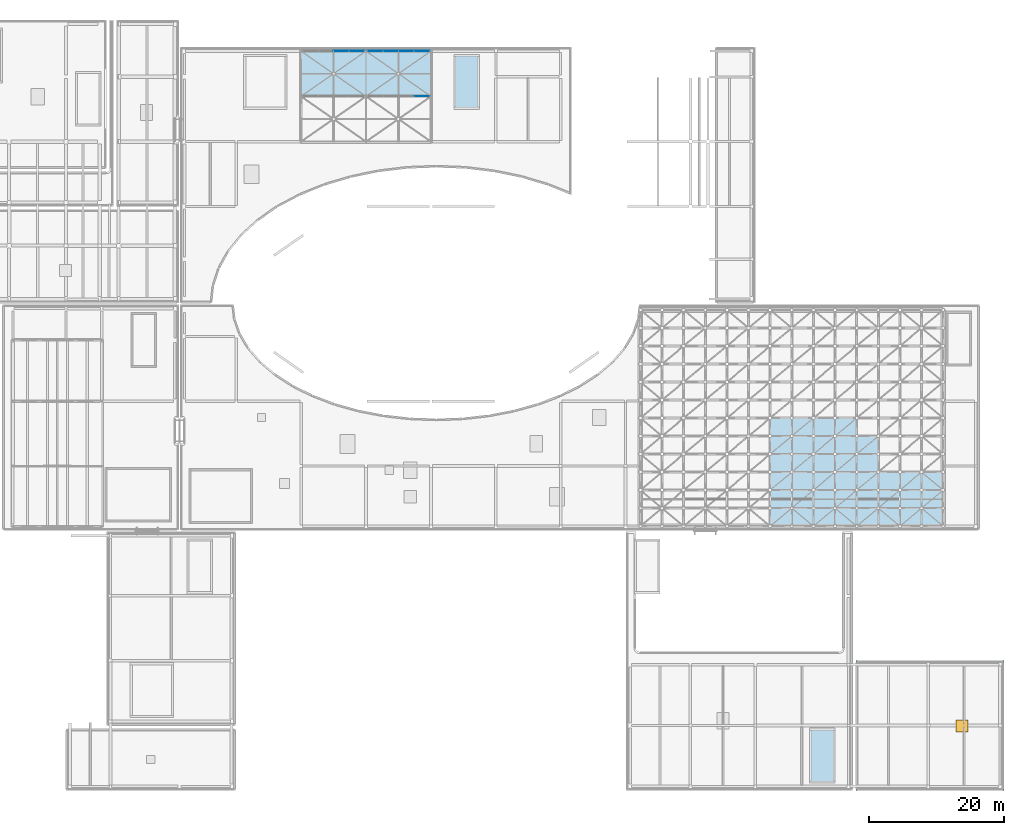
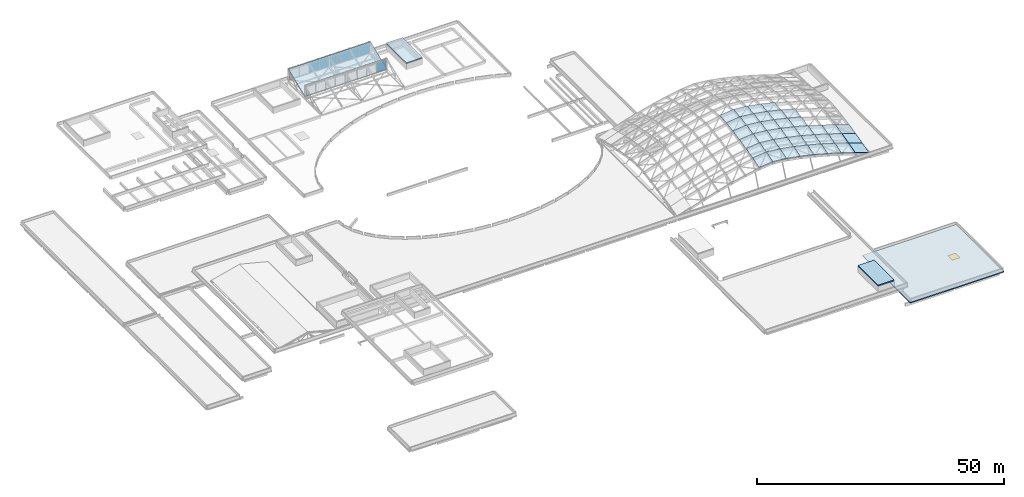
"""IFC4 building model written with IfcOpenShell, lengths in metres."""

from ifc_helpers import new_model, si_unit, direction, frame, origin, origin_2d, place, context, subcontext, project, spatial, polyline, rectangle, outline, extrude, material, layer, layer_set, type_object, element, fill, aggregate, save


model = new_model("IFC4")

# Units and contexts
model_context = context("Model", 3, precision=1e-05, world=origin(), true_north=direction((0.0, 1.0)))
body_context = subcontext(model_context, "Body", "Model", "MODEL_VIEW")
ifc_project = project(units=[si_unit("LENGTHUNIT", "METRE"), si_unit("AREAUNIT", "SQUARE_METRE"), si_unit("VOLUMEUNIT", "CUBIC_METRE"), si_unit("PLANEANGLEUNIT", "RADIAN"), si_unit("MASSUNIT", "GRAM", prefix="KILO")], contexts=[model_context])

# Site, building, storey
site_placement = place(None, origin())
site = spatial("IfcSite", under=ifc_project, at=site_placement, CompositionType="ELEMENT")
building_placement = place(site_placement, origin())
building = spatial("IfcBuilding", under=site, at=building_placement, Name="Mzevani Central Library", CompositionType="ELEMENT")
storey_1_placement = place(building_placement, frame((0.0, 0.0, 26.699951171875)))
storey_1 = spatial("IfcBuildingStorey", under=building, at=storey_1_placement, Name="RF", CompositionType="ELEMENT", Elevation=26.699951171875)

# Curtain wall, plate
ifc_material_1 = material(Name="Thermally broken aluminium and Low-E triple glazing", Category="aluminium")
curtain_wall_type = type_object("IfcCurtainWallType", Name="Sawtooth Clerestory Curtain Wall", PredefinedType="NOTDEFINED", material=ifc_material_1)
curtain_wall_1_placement = place(storey_1_placement, origin())
curtain_wall_1 = element("IfcCurtainWall", 1, at=curtain_wall_1_placement, inside=storey_1, type_object=curtain_wall_type, Name="RF Sawtooth Northlight Clerestory 1.2", PredefinedType="NOTDEFINED")
ifc_material_2 = material(Name="Low-E triple glazing glass", Category="glass")
ifc_layer_1 = layer(ifc_material_2, 0.028076171875, Name="CW Triple Glazed Vision Panel 28")
ifc_layer_set_1 = layer_set([ifc_layer_1], Name="Low-E triple glazing glass")
plate_type = type_object("IfcPlateType", Name="CW Triple Glazed Vision Panel 28", PredefinedType="CURTAIN_PANEL", material=ifc_layer_set_1)
plate_1_placement = place(storey_1_placement, frame((81.85009765625, 106.699951171875, -3.949951171875), z_axis=(0.0, 0.0, 1.0), x_axis=(1.0, 0.0, 0.0)))
plate_1 = element("IfcPlate", 2, at=plate_1_placement, type_object=plate_type, Name="RF Sawtooth Northlight Clerestory 1.2 Vision Panel 4", PredefinedType="CURTAIN_PANEL", context=body_context, shape_type="SweptSolid", body=[
    extrude(rectangle(XDim=2.300048828125, YDim=0.028076171875, at=origin_2d()), origin(), (0.0, 0.0, 1.0), 2.5),
])
aggregate(curtain_wall_1, [plate_1])

# Curtain wall, plates
curtain_wall_2_placement = place(storey_1_placement, origin())
curtain_wall_2 = element("IfcCurtainWall", 3, at=curtain_wall_2_placement, inside=storey_1, type_object=curtain_wall_type, Name="RF Sawtooth Northlight Clerestory 2.1", PredefinedType="NOTDEFINED")
plate_2_placement = place(storey_1_placement, frame((69.949951171875, 113.39990234375, -3.949951171875), z_axis=(0.0, 0.0, 1.0), x_axis=(1.0, 0.0, 0.0)))
plate_2 = element("IfcPlate", 4, at=plate_2_placement, type_object=plate_type, Name="RF Sawtooth Northlight Clerestory 2.1 Vision Panel 3", PredefinedType="CURTAIN_PANEL", context=body_context, shape_type="SweptSolid", body=[
    extrude(rectangle(XDim=2.300048828125, YDim=0.028076171875, at=origin_2d()), origin(), (0.0, 0.0, 1.0), 2.5),
])
plate_3_placement = place(storey_1_placement, frame((72.25, 113.39990234375, -3.949951171875), z_axis=(0.0, 0.0, 1.0), x_axis=(1.0, 0.0, 0.0)))
plate_3 = element("IfcPlate", 5, at=plate_3_placement, type_object=plate_type, Name="RF Sawtooth Northlight Clerestory 2.1 Vision Panel 4", PredefinedType="CURTAIN_PANEL", context=body_context, shape_type="SweptSolid", body=[
    extrude(rectangle(XDim=2.300048828125, YDim=0.028076171875, at=origin_2d()), origin(), (0.0, 0.0, 1.0), 2.5),
])
aggregate(curtain_wall_2, [plate_2, plate_3])

curtain_wall_3_placement = place(storey_1_placement, origin())
curtain_wall_3 = element("IfcCurtainWall", 6, at=curtain_wall_3_placement, inside=storey_1, type_object=curtain_wall_type, Name="RF Sawtooth Northlight Clerestory 2.2", PredefinedType="NOTDEFINED")
plate_4_placement = place(storey_1_placement, frame((74.949951171875, 113.39990234375, -3.949951171875), z_axis=(0.0, 0.0, 1.0), x_axis=(1.0, 0.0, 0.0)))
plate_4 = element("IfcPlate", 7, at=plate_4_placement, type_object=plate_type, Name="RF Sawtooth Northlight Clerestory 2.2 Vision Panel 1", PredefinedType="CURTAIN_PANEL", context=body_context, shape_type="SweptSolid", body=[
    extrude(rectangle(XDim=2.300048828125, YDim=0.028076171875, at=origin_2d()), origin(), (0.0, 0.0, 1.0), 2.5),
])
plate_5_placement = place(storey_1_placement, frame((77.25, 113.39990234375, -3.949951171875), z_axis=(0.0, 0.0, 1.0), x_axis=(1.0, 0.0, 0.0)))
plate_5 = element("IfcPlate", 8, at=plate_5_placement, type_object=plate_type, Name="RF Sawtooth Northlight Clerestory 2.2 Vision Panel 2", PredefinedType="CURTAIN_PANEL", context=body_context, shape_type="SweptSolid", body=[
    extrude(rectangle(XDim=2.300048828125, YDim=0.028076171875, at=origin_2d()), origin(), (0.0, 0.0, 1.0), 2.5),
])
plate_6_placement = place(storey_1_placement, frame((79.550048828125, 113.39990234375, -3.949951171875), z_axis=(0.0, 0.0, 1.0), x_axis=(1.0, 0.0, 0.0)))
plate_6 = element("IfcPlate", 9, at=plate_6_placement, type_object=plate_type, Name="RF Sawtooth Northlight Clerestory 2.2 Vision Panel 3", PredefinedType="CURTAIN_PANEL", context=body_context, shape_type="SweptSolid", body=[
    extrude(rectangle(XDim=2.300048828125, YDim=0.028076171875, at=origin_2d()), origin(), (0.0, 0.0, 1.0), 2.5),
])
plate_7_placement = place(storey_1_placement, frame((81.85009765625, 113.39990234375, -3.949951171875), z_axis=(0.0, 0.0, 1.0), x_axis=(1.0, 0.0, 0.0)))
plate_7 = element("IfcPlate", 10, at=plate_7_placement, type_object=plate_type, Name="RF Sawtooth Northlight Clerestory 2.2 Vision Panel 4", PredefinedType="CURTAIN_PANEL", context=body_context, shape_type="SweptSolid", body=[
    extrude(rectangle(XDim=2.300048828125, YDim=0.028076171875, at=origin_2d()), origin(), (0.0, 0.0, 1.0), 2.5),
])
aggregate(curtain_wall_3, [plate_4, plate_5, plate_6, plate_7])

# Slab, opening
ifc_material_3 = material(Name="Precast concrete C40/50", Category="concrete")
ifc_layer_2 = layer(ifc_material_3, 0.260009765625, Name="Flat Thermal Roof Slab 260")
ifc_layer_set_2 = layer_set([ifc_layer_2], Name="Precast concrete C40/50")
slab_type_1 = type_object("IfcSlabType", Name="Flat Thermal Roof Slab 260", PredefinedType="ROOF", material=ifc_layer_set_2)
slab_1_placement = place(storey_1_placement, frame((0.0, 0.0, -21.56005859375)))
slab_1 = element("IfcSlab", 11, at=slab_1_placement, inside=storey_1, type_object=slab_type_1, Name="RF V6 Insulated Concrete Roof (L00 Top 1)", PredefinedType="ROOF", context=body_context, shape_type="SweptSolid", body=[
    extrude(outline(polyline([(168.0, 4.0), (146.080078125, 4.0), (146.080078125, 23.199951171875), (168.0, 23.199951171875), (168.0, 4.0)])), origin(), (0.0, 0.0, 1.0), 0.260009765625),
])
opening_placement = place(slab_1_placement, frame((161.79833984375, 13.531494140625, 0.0)))
opening = element("IfcOpeningElement", 12, at=opening_placement, cuts=slab_1, Name="Opening SK-02", PredefinedType="OPENING", context=body_context, shape_type="SweptSolid", body=[
    extrude(rectangle(XDim=1.800048828125, YDim=1.800048828125, at=origin_2d()), origin(), (0.0, 0.0, 1.0), 0.260009765625),
])

# Storey
storey_2_placement = place(building_placement, origin())
storey_2 = spatial("IfcBuildingStorey", under=building, at=storey_2_placement, Name="L00", CompositionType="ELEMENT", Elevation=0.0)

# Window
window_type = type_object("IfcWindowType", Name="Atrium Skylight 1800x1800", PartitioningType="SINGLE_PANEL", PredefinedType="SKYLIGHT", material=ifc_material_2)
window_placement = place(opening_placement, frame((0.0, 0.0, 0.2099609375)))
window = element("IfcWindow", 13, at=window_placement, inside=storey_2, type_object=window_type, Name="L00 V6 SK-02 Roof Hatch / Skylight (9)", OverallHeight=1.800048828125, OverallWidth=1.800048828125, PartitioningType="SINGLE_PANEL", PredefinedType="SKYLIGHT", context=body_context, shape_type="SweptSolid", body=[
    extrude(rectangle(XDim=1.800048828125, YDim=1.800048828125, at=origin_2d()), origin(), (0.0, 0.0, 1.0), 0.050048828125),
])

fill(opening, window)

# Slabs
slab_2_placement = place(storey_1_placement, frame((0.0, 0.0, -2.699951171875)))
element("IfcSlab", 14, at=slab_2_placement, inside=storey_1, type_object=slab_type_1, Name="RF Core C3B Atrium East Escape Stair Overrun Roof Slab", PredefinedType="ROOF", context=body_context, shape_type="SweptSolid", body=[
    extrude(outline(polyline([(86.60009765625, 104.800048828125), (90.39990234375, 104.800048828125), (90.39990234375, 112.89990234375), (86.60009765625, 112.89990234375), (86.60009765625, 104.800048828125)])), origin(), (0.0, 0.0, 1.0), 0.260009765625),
])
slab_3_placement = place(storey_1_placement, frame((0.0, 0.0, -15.599853515625)))
element("IfcSlab", 15, at=slab_3_placement, inside=storey_1, type_object=slab_type_1, Name="RF Core C6B Children's Pavilion East Stair Overrun Roof Slab", PredefinedType="ROOF", context=body_context, shape_type="SweptSolid", body=[
    extrude(outline(polyline([(139.199951171875, 5.10009765625), (143.0, 5.10009765625), (143.0, 13.199951171875), (139.199951171875, 13.199951171875), (139.199951171875, 5.10009765625)])), origin(), (0.0, 0.0, 1.0), 0.260009765625),
])

# Roof, slabs
ifc_material_4 = material(Name="Glulam GL28h", Category="wood")
roof_type = type_object("IfcRoofType", Name="Translational Gridshell Pavilion Roof", PredefinedType="PAVILION_ROOF", material=ifc_material_4)
roof_placement = place(storey_1_placement, origin())
roof = element("IfcRoof", 16, at=roof_placement, inside=storey_1, type_object=roof_type, Name="RF Volume V1 Main Reading Hall Translational Gridshell Roof", PredefinedType="PAVILION_ROOF")
ifc_layer_3 = layer(ifc_material_4, 0.179931640625, Name="Gridshell Roof Quad Slab 180")
ifc_layer_set_3 = layer_set([ifc_layer_3], Name="Glulam GL28h")
slab_type_2 = type_object("IfcSlabType", Name="Gridshell Roof Quad Slab 180", PredefinedType="ROOF", material=ifc_layer_set_3)
slab_4_placement = place(storey_1_placement, frame((133.39990234375, 43.10009765625, -7.233154296875), z_axis=(-0.099808581428, -0.267212511624, 0.958454861068), x_axis=(0.994621666406, 0.0, 0.103574807342)))
slab_4 = element("IfcSlab", 17, at=slab_4_placement, type_object=slab_type_2, Name="RF Gridshell Roof Panel 7.1", PredefinedType="ROOF", context=body_context, shape_type="SweptSolid", body=[
    extrude(outline(polyline([(0.0, 0.0), (3.2175001013843962, 0.0), (3.2944984627998184, 2.7671230711443595), (0.07699836141542211, 2.7671230711443595), (0.0, 0.0)])), origin(), (0.0, 0.0, -1.0), 0.179931640625),
])
slab_5_placement = place(storey_1_placement, frame((133.39990234375, 45.7666015625, -6.48974609375), z_axis=(-0.100405525432, -0.245482450392, 0.964187272791), x_axis=(0.994621666406, 0.0, 0.103574807342)))
slab_5 = element("IfcSlab", 18, at=slab_5_placement, type_object=slab_type_2, Name="RF Gridshell Roof Panel 7.2", PredefinedType="ROOF", context=body_context, shape_type="SweptSolid", body=[
    extrude(outline(polyline([(0.0, 0.0), (3.2175001013843962, -1.3877787807814457e-17), (3.2878227427953286, 2.7509234576280646), (0.07032264141093231, 2.750923457628064), (0.0, 0.0)])), origin(), (0.0, 0.0, -1.0), 0.179931640625),
])
slab_6_placement = place(storey_1_placement, frame((133.39990234375, 48.433349609375, -5.810791015625), z_axis=(-0.101024827295, -0.220529495482, 0.970134385481), x_axis=(0.994621666406, 0.0, 0.103574807342)))
slab_6 = element("IfcSlab", 19, at=slab_6_placement, type_object=slab_type_2, Name="RF Gridshell Roof Panel 7.3", PredefinedType="ROOF", context=body_context, shape_type="SweptSolid", body=[
    extrude(outline(polyline([(0.0, 0.0), (3.2175001013843962, 1.3877787807814457e-17), (3.280287270972079, 2.734059761166427), (0.06278716958768246, 2.734059761166427), (0.0, 0.0)])), origin(), (0.0, 0.0, -1.0), 0.179931640625),
])
slab_7_placement = place(storey_1_placement, frame((133.39990234375, 51.10009765625, -5.20458984375), z_axis=(-0.101674450028, -0.190679628228, 0.976372667372), x_axis=(0.994621666406, 0.0, 0.103574807342)))
slab_7 = element("IfcSlab", 20, at=slab_7_placement, type_object=slab_type_2, Name="RF Gridshell Roof Panel 7.4", PredefinedType="ROOF", context=body_context, shape_type="SweptSolid", body=[
    extrude(outline(polyline([(0.0, 0.0), (3.2175001013843962, 0.0), (3.27143688460249, 2.716342486165192), (0.05393678321809371, 2.716342486165192), (0.0, 0.0)])), origin(), (0.0, 0.0, -1.0), 0.179931640625),
])
slab_8_placement = place(storey_1_placement, frame((133.39990234375, 53.7666015625, -4.683837890625), z_axis=(-0.102369775558, -0.152096879317, 0.983049830046), x_axis=(0.994621666406, 0.0, 0.103574807342)))
slab_8 = element("IfcSlab", 21, at=slab_8_placement, type_object=slab_type_2, Name="RF Gridshell Roof Panel 7.5", PredefinedType="ROOF", context=body_context, shape_type="SweptSolid", body=[
    extrude(outline(polyline([(0.0, 0.0), (3.2175001013843962, 0.0), (3.2602348241404107, 2.6981393060636414), (0.04273472275601424, 2.6981393060636414), (0.0, 0.0)])), origin(), (0.0, 0.0, -1.0), 0.179931640625),
])
slab_9_placement = place(storey_1_placement, frame((133.39990234375, 56.433349609375, -4.271240234375), z_axis=(-0.103169011865, -0.088433280204, 0.990724840681), x_axis=(0.994621666406, 0.0, 0.103574807342)))
slab_9 = element("IfcSlab", 22, at=slab_9_placement, type_object=slab_type_2, Name="RF Gridshell Roof Panel 7.6", PredefinedType="ROOF", context=body_context, shape_type="SweptSolid", body=[
    extrude(outline(polyline([(0.0, 0.0), (3.2175001013843962, -6.938893903907228e-18), (3.2421547491282507, 2.677237187717192), (0.02465464774385437, 2.677237187717192), (0.0, 0.0)])), origin(), (0.0, 0.0, -1.0), 0.179931640625),
])
slab_10_placement = place(storey_1_placement, frame((136.60009765625, 43.10009765625, -6.89990234375), z_axis=(0.099816120468, -0.267212308526, 0.958454132584), x_axis=(0.994620852304, 0.0, -0.103582624811)))
slab_10 = element("IfcSlab", 23, at=slab_10_placement, type_object=slab_type_2, Name="RF Gridshell Roof Panel 8.1", PredefinedType="ROOF", context=body_context, shape_type="SweptSolid", body=[
    extrude(outline(polyline([(0.0, 0.0), (3.2172572739284955, 0.0), (3.140253100942963, 2.7671229094246725), (-0.07700417298553264, 2.7671229094246725), (0.0, 0.0)])), origin(), (0.0, 0.0, -1.0), 0.179931640625),
])
slab_11_placement = place(storey_1_placement, frame((136.60009765625, 45.7666015625, -6.156494140625), z_axis=(0.100413108647, -0.245482261572, 0.964186531157), x_axis=(0.994620852304, 0.0, -0.103582624811)))
slab_11 = element("IfcSlab", 24, at=slab_11_placement, type_object=slab_type_2, Name="RF Gridshell Roof Panel 8.2", PredefinedType="ROOF", context=body_context, shape_type="SweptSolid", body=[
    extrude(outline(polyline([(0.0, 0.0), (3.2172572739284955, 1.3877787807814457e-17), (3.146929324807718, 2.750923321940439), (-0.0703279491207771, 2.7509233219404394), (0.0, 0.0)])), origin(), (0.0, 0.0, -1.0), 0.179931640625),
])
slab_12_placement = place(storey_1_placement, frame((136.60009765625, 48.433349609375, -5.4775390625), z_axis=(0.101032456321, -0.220529323756, 0.970133630039), x_axis=(0.994620852304, 0.0, -0.103582624811)))
slab_12 = element("IfcSlab", 25, at=slab_12_placement, type_object=slab_type_2, Name="RF Gridshell Roof Panel 8.3", PredefinedType="ROOF", context=body_context, shape_type="SweptSolid", body=[
    extrude(outline(polyline([(0.0, 0.0), (3.2172572739284955, 1.3877787807814457e-17), (3.1544653653823285, 2.7340596523330256), (-0.06279190854616667, 2.734059652333025), (0.0, 0.0)])), origin(), (0.0, 0.0, -1.0), 0.179931640625),
])
slab_13_placement = place(storey_1_placement, frame((136.60009765625, 51.10009765625, -4.871337890625), z_axis=(0.10168212709, -0.19067947783, 0.976371897263), x_axis=(0.994620852304, 0.0, -0.103582624811)))
slab_13 = element("IfcSlab", 26, at=slab_13_placement, type_object=slab_type_2, Name="RF Gridshell Roof Panel 8.4", PredefinedType="ROOF", context=body_context, shape_type="SweptSolid", body=[
    extrude(outline(polyline([(0.0, 0.0), (3.2172572739284955, 0.0), (3.1633164197484818, 2.7163424053274916), (-0.0539408541800135, 2.7163424053274916), (0.0, 0.0)])), origin(), (0.0, 0.0, -1.0), 0.179931640625),
])
slab_14_placement = place(storey_1_placement, frame((136.60009765625, 53.7666015625, -4.3505859375), z_axis=(0.102377504013, -0.152096757705, 0.98304904403), x_axis=(0.994620852304, 0.0, -0.103582624811)))
slab_14 = element("IfcSlab", 27, at=slab_14_placement, type_object=slab_type_2, Name="RF Gridshell Roof Panel 8.5", PredefinedType="ROOF", context=body_context, shape_type="SweptSolid", body=[
    extrude(outline(polyline([(0.0, 0.0), (3.2172572739284955, 6.938893903907228e-18), (3.174519325703356, 2.6981392549748295), (-0.04273794822513963, 2.6981392549748295), (0.0, 0.0)])), origin(), (0.0, 0.0, -1.0), 0.179931640625),
])
slab_15_placement = place(storey_1_placement, frame((136.60009765625, 56.433349609375, -3.93798828125), z_axis=(0.103176799366, -0.088433208387, 0.99072403611), x_axis=(0.994620852304, 0.0, -0.103582624811)))
slab_15 = element("IfcSlab", 28, at=slab_15_placement, type_object=slab_type_2, Name="RF Gridshell Roof Panel 8.6", PredefinedType="ROOF", context=body_context, shape_type="SweptSolid", body=[
    extrude(outline(polyline([(0.0, 0.0), (3.2172572739284955, 0.0), (3.1926007653370685, 2.677237170580021), (-0.024656508591426707, 2.677237170580021), (0.0, 0.0)])), origin(), (0.0, 0.0, -1.0), 0.179931640625),
])
slab_16_placement = place(storey_1_placement, frame((139.800048828125, 43.10009765625, -7.233154296875), z_axis=(0.17124215993, -0.264586679606, 0.949036359492), x_axis=(0.984108094626, 0.0, -0.177570431357)))
slab_16 = element("IfcSlab", 29, at=slab_16_placement, type_object=slab_type_2, Name="RF Gridshell Roof Panel 9.1", PredefinedType="ROOF", context=body_context, shape_type="SweptSolid", body=[
    extrude(outline(polyline([(0.0, 0.0), (3.2516256998089466, 2.7755575615628914e-17), (3.1196183845060697, 2.765044829153151), (-0.13200731530287696, 2.7650448291531506), (0.0, 0.0)])), origin(), (0.0, 0.0, -1.0), 0.179931640625),
])
slab_17_placement = place(storey_1_placement, frame((139.800048828125, 45.7666015625, -6.48974609375), z_axis=(0.172208969211, -0.243084282521, 0.954596303426), x_axis=(0.984114266677, -8.711364e-06, -0.177536221791)))
slab_17 = element("IfcSlab", 30, at=slab_17_placement, type_object=slab_type_2, Name="RF Gridshell Roof Panel 9.2", PredefinedType="ROOF", context=body_context, shape_type="SweptSolid", body=[
    extrude(outline(polyline([(0.0, 0.0), (3.2516256977209532, 5.551115123125783e-17), (3.131020003569049, 2.7492382539935734), (-0.12056235034775561, 2.749179850377787), (0.0, 0.0)])), origin(), (0.0, 0.0, -1.0), 0.179931640625),
])
slab_18_placement = place(storey_1_placement, frame((139.800048828125, 48.433349609375, -5.810791015625), z_axis=(0.173216263363, -0.218312839746, 0.960383064255), x_axis=(0.984121212692, 0.0, -0.177497714718)))
slab_18 = element("IfcSlab", 31, at=slab_18_placement, type_object=slab_type_2, Name="RF Gridshell Roof Panel 9.3", PredefinedType="ROOF", context=body_context, shape_type="SweptSolid", body=[
    extrude(outline(polyline([(0.0, 0.0), (3.251582356529337, -1.3877787807814457e-17), (3.143983033862398, 2.7326630586400267), (-0.10759932266693875, 2.732663058640027), (0.0, 0.0)])), origin(), (0.0, 0.0, -1.0), 0.179931640625),
])
slab_19_placement = place(storey_1_placement, frame((139.800048828125, 51.10009765625, -5.20458984375), z_axis=(0.174307610706, -0.188738656976, 0.966433948189), x_axis=(0.984121212692, 0.0, -0.177497714718)))
slab_19 = element("IfcSlab", 32, at=slab_19_placement, type_object=slab_type_2, Name="RF Gridshell Roof Panel 9.4", PredefinedType="ROOF", context=body_context, shape_type="SweptSolid", body=[
    extrude(outline(polyline([(0.0, 0.0), (3.251582356529337, 0.0), (3.159150074914927, 2.7153051305600195), (-0.09243228161441013, 2.7153051305600195), (0.0, 0.0)])), origin(), (0.0, 0.0, -1.0), 0.179931640625),
])
slab_20_placement = place(storey_1_placement, frame((139.800048828125, 53.7666015625, -4.683837890625), z_axis=(0.175512415294, -0.150483223718, 0.97290811049), x_axis=(0.984114802803, 5.49636e-06, -0.177533250051)))
slab_20 = element("IfcSlab", 33, at=slab_20_placement, type_object=slab_type_2, Name="RF Gridshell Roof Panel 9.5", PredefinedType="ROOF", context=body_context, shape_type="SweptSolid", body=[
    extrude(outline(polyline([(0.0, 0.0), (3.2515823543604396, 1.3877787807814457e-17), (3.178390551970211, 2.6974475923209518), (-0.07323514546885432, 2.6974837480174148), (0.0, 0.0)])), origin(), (0.0, 0.0, -1.0), 0.179931640625),
])
slab_21_placement = place(storey_1_placement, frame((139.800048828125, 56.433349609375, -4.271240234375), z_axis=(0.176852352387, -0.087550808719, 0.980335708494), x_axis=(0.984114604006, -3.222141e-06, -0.17753435209)))
slab_21 = element("IfcSlab", 34, at=slab_21_placement, type_object=slab_type_2, Name="RF Gridshell Roof Panel 9.6", PredefinedType="ROOF", context=body_context, shape_type="SweptSolid", body=[
    extrude(outline(polyline([(0.0, 0.0), (3.251625697606835, 6.938893903907228e-18), (3.209313997635733, 2.67703806572448), (-0.042268356623424, 2.6770170307001613), (0.0, 0.0)])), origin(), (0.0, 0.0, -1.0), 0.179931640625),
])
slab_22_placement = place(storey_1_placement, frame((143.0, 43.10009765625, -7.810546875), z_axis=(0.214210756614, -0.262319684052, 0.940904955407), x_axis=(0.975050212006, 0.0, -0.221984423028)))
slab_22 = element("IfcSlab", 35, at=slab_22_placement, type_object=slab_type_2, Name="RF Gridshell Roof Panel 10.1", PredefinedType="ROOF", context=body_context, shape_type="SweptSolid", body=[
    extrude(outline(polyline([(0.0, 0.0), (3.2818321892280427, 2.7755575615628914e-17), (3.1168071481831716, 2.763270810895702), (-0.16502504104487095, 2.763270810895702), (0.0, 0.0)])), origin(), (0.0, 0.0, -1.0), 0.179931640625),
])
slab_23_placement = place(storey_1_placement, frame((143.0, 45.7666015625, -7.067138671875), z_axis=(0.215477211118, -0.240974003352, 0.946309199573), x_axis=(0.97504262809, 8.481974e-06, -0.222017732029)))
slab_23 = element("IfcSlab", 36, at=slab_23_placement, type_object=slab_type_2, Name="RF Gridshell Roof Panel 10.2", PredefinedType="ROOF", context=body_context, shape_type="SweptSolid", body=[
    extrude(outline(polyline([(0.0, 0.0), (3.2818321871950316, -2.7755575615628914e-17), (3.131114739888285, 2.7476916459742506), (-0.15077165085460512, 2.7477490096835284), (0.0, 0.0)])), origin(), (0.0, 0.0, -1.0), 0.179931640625),
])
slab_24_placement = place(storey_1_placement, frame((143.0, 48.433349609375, -6.387939453125), z_axis=(0.216793906423, -0.216391810659, 0.951932238354), x_axis=(0.975034107954, 0.0, -0.222055147039)))
slab_24 = element("IfcSlab", 37, at=slab_24_placement, type_object=slab_type_2, Name="RF Gridshell Roof Panel 10.3", PredefinedType="ROOF", context=body_context, shape_type="SweptSolid", body=[
    extrude(outline(polyline([(0.0, 0.0), (3.2818863932771944, 0.0), (3.1472763029211777, 2.7314657475188295), (-0.13461009035601684, 2.7314657475188295), (0.0, 0.0)])), origin(), (0.0, 0.0, -1.0), 0.179931640625),
])
slab_25_placement = place(storey_1_placement, frame((143.0, 51.10009765625, -5.78173828125), z_axis=(0.218135658963, -0.18705715009, 0.957823813073), x_axis=(0.975034107954, 0.0, -0.222055147039)))
slab_25 = element("IfcSlab", 38, at=slab_25_placement, type_object=slab_type_2, Name="RF Gridshell Roof Panel 10.4", PredefinedType="ROOF", context=body_context, shape_type="SweptSolid", body=[
    extrude(outline(polyline([(0.0, 0.0), (3.2818863932771944, 0.0), (3.1662507417550905, 2.7144159730643844), (-0.11563565152210388, 2.7144159730643844), (0.0, 0.0)])), origin(), (0.0, 0.0, -1.0), 0.179931640625),
])
slab_26_placement = place(storey_1_placement, frame((143.0, 53.7666015625, -5.260986328125), z_axis=(0.219537174216, -0.1491269201, 0.964139300536), x_axis=(0.975041981474, -5.347889e-06, -0.222020571872)))
slab_26 = element("IfcSlab", 39, at=slab_26_placement, type_object=slab_type_2, Name="RF Gridshell Roof Panel 10.5", PredefinedType="ROOF", context=body_context, shape_type="SweptSolid", body=[
    extrude(outline(polyline([(0.0, 0.0), (3.281886391166885, 0.0), (3.190266962101983, 2.696921919118322), (-0.09156522482372265, 2.696886420135508), (0.0, 0.0)])), origin(), (0.0, 0.0, -1.0), 0.179931640625),
])
slab_27_placement = place(storey_1_placement, frame((143.0, 56.433349609375, -4.8486328125), z_axis=(0.221182800061, -0.086749785174, 0.971366379761), x_axis=(0.975042221146, 3.134333e-06, -0.222019519351)))
slab_27 = element("IfcSlab", 40, at=slab_27_placement, type_object=slab_type_2, Name="RF Gridshell Roof Panel 10.6", PredefinedType="ROOF", context=body_context, shape_type="SweptSolid", body=[
    extrude(outline(polyline([(0.0, 0.0), (3.281832187085942, 0.0), (3.228991660951828, 2.6768292204937305), (-0.05289473011833052, 2.676849871225293), (0.0, 0.0)])), origin(), (0.0, 0.0, -1.0), 0.179931640625),
])
slab_28_placement = place(storey_1_placement, frame((146.199951171875, 43.10009765625, -8.5390625), z_axis=(0.247480281465, -0.260159934191, 0.933311480122), x_axis=(0.966596300435, 8.953291e-06, -0.256303710285)))
slab_28 = element("IfcSlab", 41, at=slab_28_placement, type_object=slab_type_2, Name="RF Gridshell Roof Panel 11.1", PredefinedType="ROOF", context=body_context, shape_type="SweptSolid", body=[
    extrude(outline(polyline([(0.0, 0.0), (3.3105061286712716, 8.326672684688674e-17), (3.1200542960861726, 2.761569117788477), (-0.1905144067331179, 2.7616305122820495), (0.0, 0.0)])), origin(), (0.0, 0.0, -1.0), 0.179931640625),
])
slab_29_placement = place(storey_1_placement, frame((146.199951171875, 45.7666015625, -7.795654296875), z_axis=(0.248877787207, -0.239006258863, 0.938581831946), x_axis=(0.966595160309, -8.271588e-06, -0.256308010017)))
slab_29 = element("IfcSlab", 42, at=slab_29_placement, type_object=slab_type_2, Name="RF Gridshell Roof Panel 11.2", PredefinedType="ROOF", context=body_context, shape_type="SweptSolid", body=[
    extrude(outline(polyline([(0.0, 0.0), (3.3105687033663687, 2.7755575615628914e-17), (3.136462444963532, 2.7463691889329507), (-0.17404368320507835, 2.746312787508516), (0.0, 0.0)])), origin(), (0.0, 0.0, -1.0), 0.179931640625),
])
slab_30_placement = place(storey_1_placement, frame((146.199951171875, 48.433349609375, -7.11669921875), z_axis=(0.250300553161, -0.214607594081, 0.944083266269), x_axis=(0.966604816788, 0.0, -0.256271590626)))
slab_30 = element("IfcSlab", 43, at=slab_30_placement, type_object=slab_type_2, Name="RF Gridshell Roof Panel 11.3", PredefinedType="ROOF", context=body_context, shape_type="SweptSolid", body=[
    extrude(outline(polyline([(0.0, 0.0), (3.3105061306316914, 2.7755575615628914e-17), (3.1551539920757765, 2.7303645762682236), (-0.15535213855591481, 2.7303645762682236), (0.0, 0.0)])), origin(), (0.0, 0.0, -1.0), 0.179931640625),
])
slab_31_placement = place(storey_1_placement, frame((146.199951171875, 51.10009765625, -6.510498046875), z_axis=(0.25182400718, -0.185495895423, 0.949829427944), x_axis=(0.966604816788, 0.0, -0.256271590626)))
slab_31 = element("IfcSlab", 44, at=slab_31_placement, type_object=slab_type_2, Name="RF Gridshell Roof Panel 11.4", PredefinedType="ROOF", context=body_context, shape_type="SweptSolid", body=[
    extrude(outline(polyline([(0.0, 0.0), (3.3105061306316914, 2.7755575615628914e-17), (3.177052199282611, 2.7135982987423697), (-0.13345393134908026, 2.71359829874237), (0.0, 0.0)])), origin(), (0.0, 0.0, -1.0), 0.179931640625),
])
slab_32_placement = place(storey_1_placement, frame((146.199951171875, 53.7666015625, -5.98974609375), z_axis=(0.25348867127, -0.147863446217, 0.955970655831), x_axis=(0.96659588189, 5.2122e-06, -0.256305288836)))
slab_32 = element("IfcSlab", 45, at=slab_32_placement, type_object=slab_type_2, Name="RF Gridshell Roof Panel 11.5", PredefinedType="ROOF", context=body_context, shape_type="SweptSolid", body=[
    extrude(outline(polyline([(0.0, 0.0), (3.3105061285749255, 0.0), (3.2048316412732505, 2.696370422711906), (-0.10573706183508265, 2.6964053166375477), (0.0, 0.0)])), origin(), (0.0, 0.0, -1.0), 0.179931640625),
])
slab_33_placement = place(storey_1_placement, frame((149.39990234375, 43.10009765625, -9.387451171875), z_axis=(0.275020142357, -0.258158316447, 0.926130770975), x_axis=(0.958624998714, -8.742518e-06, -0.284671937085)))
slab_33 = element("IfcSlab", 46, at=slab_33_placement, type_object=slab_type_2, Name="RF Gridshell Roof Panel 12.1", PredefinedType="ROOF", context=body_context, shape_type="SweptSolid", body=[
    extrude(outline(polyline([(0.0, 0.0), (3.338350667533674, 2.7755575615628914e-17), (3.126699902346754, 2.7600910817099575), (-0.21158126520227993, 2.7600306631036577), (0.0, 0.0)])), origin(), (0.0, 0.0, -1.0), 0.179931640625),
])
slab_34_placement = place(storey_1_placement, frame((149.39990234375, 45.7666015625, -8.644287109375), z_axis=(0.276549159748, -0.237146809064, 0.931279739495), x_axis=(0.958626224942, 8.075782e-06, -0.284667807783)))
slab_34 = element("IfcSlab", 47, at=slab_34_placement, type_object=slab_type_2, Name="RF Gridshell Roof Panel 12.2", PredefinedType="ROOF", context=body_context, shape_type="SweptSolid", body=[
    extrude(outline(polyline([(0.0, 0.0), (3.3382811680744386, 0.0), (3.1450260504771803, 2.745027794071003), (-0.19332461657376776, 2.745083296361941), (0.0, 0.0)])), origin(), (0.0, 0.0, -1.0), 0.179931640625),
])
slab_35_placement = place(storey_1_placement, frame((149.39990234375, 48.433349609375, -7.965087890625), z_axis=(0.278139784734, -0.212957606188, 0.936636171688), x_axis=(0.958625211218, -7.293604e-06, -0.284671221523)))
slab_35 = element("IfcSlab", 48, at=slab_35_placement, type_object=slab_type_2, Name="RF Gridshell Roof Panel 12.3", PredefinedType="ROOF", context=body_context, shape_type="SweptSolid", body=[
    extrude(outline(polyline([(0.0, 0.0), (3.338350667489999, 2.7755575615628914e-17), (3.165693689389047, 2.72937916336395), (-0.17258747829100998, 2.7293293233977463), (0.0, 0.0)])), origin(), (0.0, 0.0, -1.0), 0.179931640625),
])
slab_36_placement = place(storey_1_placement, frame((152.60009765625, 43.10009765625, -10.337890625), z_axis=(0.298840989367, -0.256281380988, 0.919246385271), x_axis=(0.951007938159, 0.0, -0.309166462539)))
slab_36 = element("IfcSlab", 49, at=slab_36_placement, type_object=slab_type_2, Name="RF Gridshell Roof Panel 13.1", PredefinedType="ROOF", context=body_context, shape_type="SweptSolid", body=[
    extrude(outline(polyline([(0.0, 0.0), (3.364799644122692, 5.551115123125783e-17), (3.1349627597402603, 2.7586362292077276), (-0.22983688438243202, 2.7586362292077276), (0.0, 0.0)])), origin(), (0.0, 0.0, -1.0), 0.179931640625),
])
slab_37_placement = place(storey_1_placement, frame((152.60009765625, 45.7666015625, -9.594482421875), z_axis=(0.30048389899, -0.235327145205, 0.924300038503), x_axis=(0.951007938159, 0.0, -0.309166462539)))
slab_37 = element("IfcSlab", 50, at=slab_37_placement, type_object=slab_type_2, Name="RF Gridshell Roof Panel 13.2", PredefinedType="ROOF", context=body_context, shape_type="SweptSolid", body=[
    extrude(outline(polyline([(0.0, 0.0), (3.364799644122692, 2.7755575615628914e-17), (3.1548895043960767, 2.7438044531021712), (-0.20991013972661526, 2.7438044531021712), (0.0, 0.0)])), origin(), (0.0, 0.0, -1.0), 0.179931640625),
])
slab_38_placement = place(storey_1_placement, frame((152.60009765625, 48.433349609375, -8.91552734375), z_axis=(0.302215337887, -0.211338946893, 0.929516938561), x_axis=(0.950997747515, 7.126687e-06, -0.309197807512)))
slab_38 = element("IfcSlab", 51, at=slab_38_placement, type_object=slab_type_2, Name="RF Gridshell Roof Panel 13.3", PredefinedType="ROOF", context=body_context, shape_type="SweptSolid", body=[
    extrude(outline(polyline([(0.0, 0.0), (3.3647996422095576, 0.0), (3.1773825740338384, 2.728351120361168), (-0.1874925559216938, 2.728400188968651), (0.0, 0.0)])), origin(), (0.0, 0.0, -1.0), 0.179931640625),
])
slab_39_placement = place(storey_1_placement, frame((155.800048828125, 43.10009765625, -11.378173828125), z_axis=(0.319946655528, -0.254437127102, 0.912631297934), x_axis=(0.943688738215, 0.0, -0.330834649584)))
slab_39 = element("IfcSlab", 52, at=slab_39_placement, type_object=slab_type_2, Name="RF Gridshell Roof Panel 14.1", PredefinedType="ROOF", context=body_context, shape_type="SweptSolid", body=[
    extrude(outline(polyline([(0.0, 0.0), (3.3908968522041336, 0.0), (3.1449516598252814, 2.7572467791015334), (-0.2459451923788525, 2.7572467791015334), (0.0, 0.0)])), origin(), (0.0, 0.0, -1.0), 0.179931640625),
])
slab_40_placement = place(storey_1_placement, frame((155.800048828125, 45.7666015625, -10.634765625), z_axis=(0.321645627911, -0.233657554325, 0.917577374041), x_axis=(0.943699363409, -7.718235e-06, -0.330804340118)))
slab_40 = element("IfcSlab", 53, at=slab_40_placement, type_object=slab_type_2, Name="RF Gridshell Roof Panel 14.2", PredefinedType="ROOF", context=body_context, shape_type="SweptSolid", body=[
    extrude(outline(polyline([(0.0, 0.0), (3.3908968503541796, -2.7755575615628914e-17), (3.1661942183985032, 2.7426930996574197), (-0.224621869177327, 2.742639266648939), (0.0, 0.0)])), origin(), (0.0, 0.0, -1.0), 0.179931640625),
])
slab_41_placement = place(storey_1_placement, frame((155.800048828125, 48.433349609375, -9.955810546875), z_axis=(0.323412489384, -0.209750923549, 0.922718219058), x_axis=(0.943711214964, 0.0, -0.330770528843)))
slab_41 = element("IfcSlab", 54, at=slab_41_placement, type_object=slab_type_2, Name="RF Gridshell Roof Panel 14.3", PredefinedType="ROOF", context=body_context, shape_type="SweptSolid", body=[
    extrude(outline(polyline([(0.0, 0.0), (3.3908160898531587, 0.0), (3.1903026076468333, 2.7274199071187675), (-0.20051348220632534, 2.727419907118768), (0.0, 0.0)])), origin(), (0.0, 0.0, -1.0), 0.179931640625),
])
aggregate(roof, [slab_4, slab_5, slab_6, slab_7, slab_8, slab_9, slab_10, slab_11, slab_12, slab_13, slab_14, slab_15, slab_16, slab_17, slab_18, slab_19, slab_20, slab_21, slab_22, slab_23, slab_24, slab_25, slab_26, slab_27, slab_28, slab_29, slab_30, slab_31, slab_32, slab_33, slab_34, slab_35, slab_36, slab_37, slab_38, slab_39, slab_40, slab_41])

# Slab
ifc_material_5 = material(Name="Concrete C35/45", Category="concrete")
ifc_layer_4 = layer(ifc_material_5, 0.199951171875, Name="Pitched Sawtooth Roof Slab 200")
ifc_layer_set_4 = layer_set([ifc_layer_4], Name="Concrete C35/45")
slab_type_3 = type_object("IfcSlabType", Name="Pitched Sawtooth Roof Slab 200", PredefinedType="ROOF", material=ifc_layer_set_4)
slab_42_placement = place(storey_1_placement, frame((64.0, 106.699951171875, -3.949951171875), z_axis=(0.0, -0.373772799066, 0.927520293405), x_axis=(1.0, 0.0, 0.0)))
element("IfcSlab", 55, at=slab_42_placement, inside=storey_1, type_object=slab_type_3, Name="RF V3 Sawtooth North-Light Roof Slope 2", PredefinedType="ROOF", context=body_context, shape_type="SweptSolid", body=[
    extrude(outline(polyline([(0.0, 0.0), (19.199951171875, 0.0), (19.199951171875, 7.223508983590895), (0.0, 7.223508983590895), (0.0, 0.0)])), origin(), (0.0, 0.0, -1.0), 0.199951171875),
])

save(model, "model.ifc")
